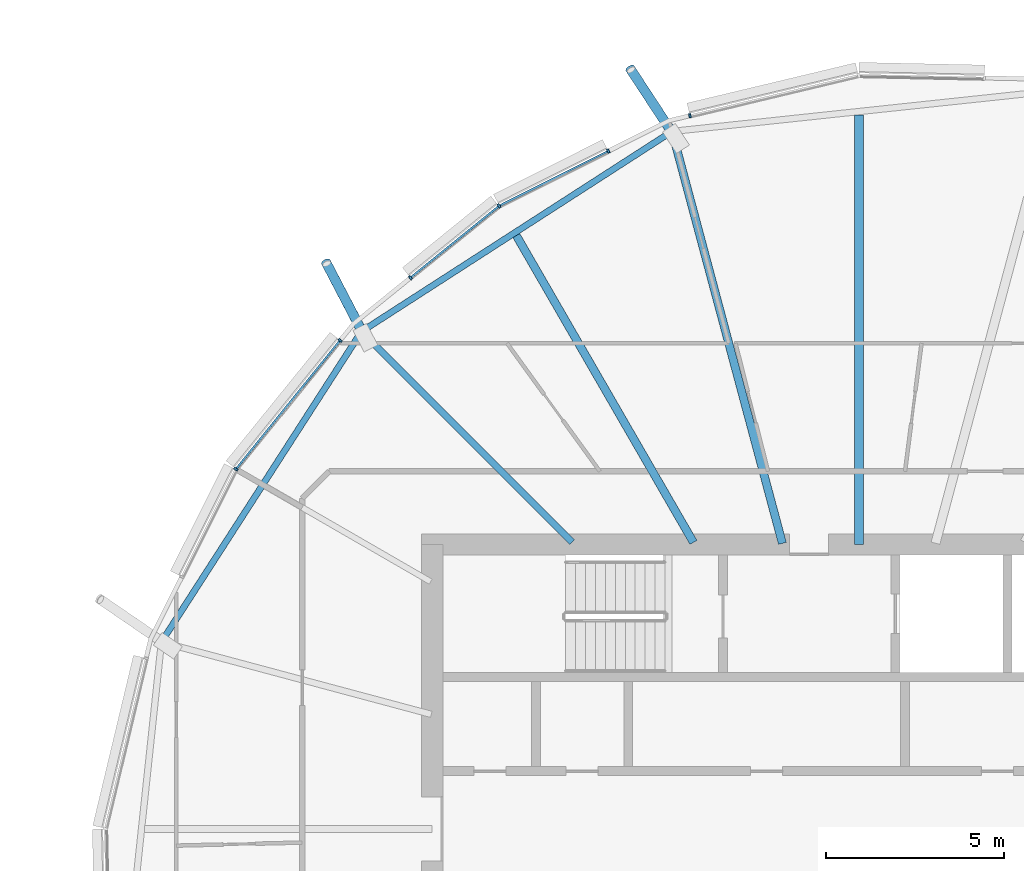
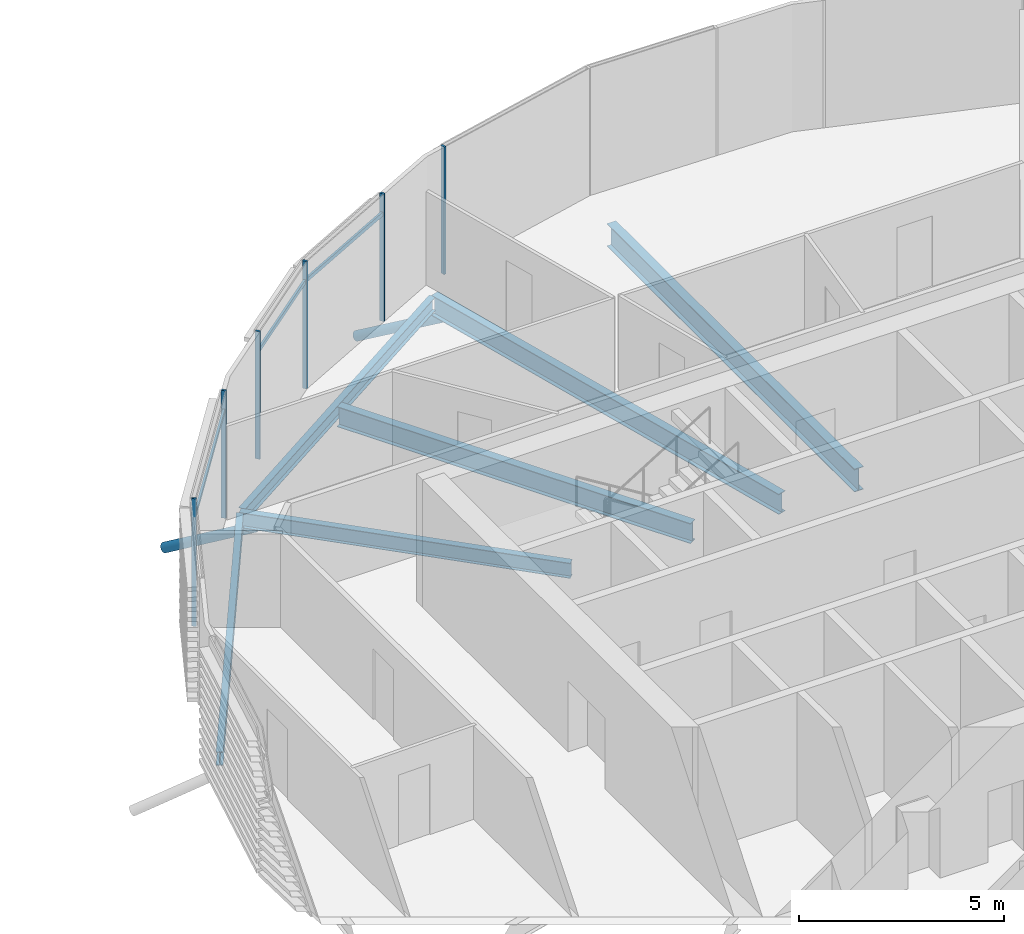
# One storey, part 16 of 37: 11 members, 6 beams, 1 element without a shape of its own.
"""IFC4 building model written with IfcOpenShell, lengths in metres."""

from ifc_helpers import new_model, si_unit, direction, frame, origin, origin_2d, place, context, subcontext, project, spatial, rectangle, hollow_circle, i_section, extrude, clip, halfspace, material, material_profile, profile_set, type_object, element, aggregate, save


model = new_model("IFC4")

# Units and contexts
model_context = context("Model", 3, precision=1e-05, world=origin(), true_north=direction((0.0, 1.0)))
body_context = subcontext(model_context, "Body", "Model", "MODEL_VIEW")
ifc_project = project(units=[si_unit("LENGTHUNIT", "METRE"), si_unit("AREAUNIT", "SQUARE_METRE"), si_unit("VOLUMEUNIT", "CUBIC_METRE"), si_unit("PLANEANGLEUNIT", "RADIAN"), si_unit("MASSUNIT", "GRAM", prefix="KILO")], contexts=[model_context])

# Site, building, storey
site_placement = place(None, origin())
site = spatial("IfcSite", under=ifc_project, at=site_placement, CompositionType="ELEMENT")
building_placement = place(site_placement, origin())
building = spatial("IfcBuilding", under=site, at=building_placement, Name="Rimbun Link Towers", CompositionType="ELEMENT")
storey_placement = place(building_placement, frame((0.0, 0.0, 162.699951171875)))
storey = spatial("IfcBuildingStorey", under=building, at=storey_placement, Name="L39", CompositionType="ELEMENT", Elevation=162.699951171875)

# Curtain wall, members
ifc_material_1 = material(Name="Aluminium 6063-T6 and low-iron glass", Category="aluminium")
curtain_wall_type = type_object("IfcCurtainWallType", Name="CW1-Z3 unitised vision wall (zone 3)", PredefinedType="NOTDEFINED", material=ifc_material_1)
curtain_wall_placement = place(storey_placement, origin())
curtain_wall = element("IfcCurtainWall", 1, at=curtain_wall_placement, inside=storey, type_object=curtain_wall_type, Name="CW1 L39 T2", PredefinedType="NOTDEFINED")
ifc_material_2 = material(Name="Aluminium 6063-T6", Category="aluminium")
ifc_material_profile_1 = material_profile(ifc_material_2, rectangle(XDim=0.1201171875, YDim=0.06005859375, at=origin_2d()), Name="MULLION 60X120")
ifc_profile_set_1 = profile_set([ifc_material_profile_1], Name="Aluminium 6063-T6")
member_type_1 = type_object("IfcMemberType", Name="CW1 mullion 60X120", PredefinedType="MULLION", material=ifc_profile_set_1)
member_1_placement = place(storey_placement, frame((26.998291015625, 20.057373046875, 0.0), z_axis=(0.0, 0.0, 1.0), x_axis=(-0.232610420521, 0.972569993504, 0.0)))
member_1 = element("IfcMember", 2, at=member_1_placement, type_object=member_type_1, Name="CW1 mullion", PredefinedType="MULLION", context=body_context, shape_type="SweptSolid", body=[
    extrude(rectangle(XDim=0.1201171875, YDim=0.06005859375, at=origin_2d()), origin(), (0.0, 0.0, 1.0), 3.800048828125),
])
member_2_placement = place(storey_placement, frame((21.632568359375, 17.517822265625, 0.0), z_axis=(0.0, 0.0, 1.0), x_axis=(-0.542099635168, 0.840314218344, 0.0)))
member_2 = element("IfcMember", 3, at=member_2_placement, type_object=member_type_1, Name="CW1 mullion", PredefinedType="MULLION", context=body_context, shape_type="SweptSolid", body=[
    extrude(rectangle(XDim=0.1201171875, YDim=0.06005859375, at=origin_2d()), origin(), (0.0, 0.0, 1.0), 3.800048828125),
])
member_3_placement = place(storey_placement, frame((24.703857421875, 19.060546875, 0.0), z_axis=(0.0, 0.0, 1.0), x_axis=(-0.448766277854, 0.893649163744, 0.0)))
member_3 = element("IfcMember", 4, at=member_3_placement, type_object=member_type_1, Name="CW1 mullion", PredefinedType="MULLION", context=body_context, shape_type="SweptSolid", body=[
    extrude(rectangle(XDim=0.1201171875, YDim=0.06005859375, at=origin_2d()), origin(), (0.0, 0.0, 1.0), 3.800048828125),
])
member_4_placement = place(storey_placement, frame((19.140869140625, 15.501220703125, 0.0), z_axis=(0.0, 0.0, 1.0), x_axis=(-0.629168634373, 0.777268827061, 0.0)))
member_4 = element("IfcMember", 5, at=member_4_placement, type_object=member_type_1, Name="CW1 mullion", PredefinedType="MULLION", context=body_context, shape_type="SweptSolid", body=[
    extrude(rectangle(XDim=0.1201171875, YDim=0.06005859375, at=origin_2d()), origin(), (0.0, 0.0, 1.0), 3.800048828125),
])
member_5_placement = place(storey_placement, frame((14.232177734375, 10.117431640625, 0.0), z_axis=(0.0, 0.0, 1.0), x_axis=(-0.840314218344, 0.542099635168, 0.0)))
member_5 = element("IfcMember", 6, at=member_5_placement, type_object=member_type_1, Name="CW1 mullion", PredefinedType="MULLION", context=body_context, shape_type="SweptSolid", body=[
    extrude(rectangle(XDim=0.1201171875, YDim=0.06005859375, at=origin_2d()), origin(), (0.0, 0.0, 1.0), 3.800048828125),
])
member_6_placement = place(storey_placement, frame((17.1611328125, 13.736083984375, 0.0), z_axis=(0.0, 0.0, 1.0), x_axis=(-0.777268827061, 0.629168634373, 0.0)))
member_6 = element("IfcMember", 7, at=member_6_placement, type_object=member_type_1, Name="CW1 mullion", PredefinedType="MULLION", context=body_context, shape_type="SweptSolid", body=[
    extrude(rectangle(XDim=0.1201171875, YDim=0.06005859375, at=origin_2d()), origin(), (0.0, 0.0, 1.0), 3.800048828125),
])
ifc_material_3 = material(Name="Aluminium 6063-T6", Category="aluminium")
ifc_material_profile_2 = material_profile(ifc_material_3, rectangle(XDim=0.06005859375, YDim=0.1201171875, at=origin_2d()), Name="TRANSOM 60X120")
ifc_profile_set_2 = profile_set([ifc_material_profile_2], Name="Aluminium 6063-T6")
member_type_2 = type_object("IfcMemberType", Name="CW1 transom 60X120", PredefinedType="USERDEFINED", material=ifc_profile_set_2)
member_7_placement = place(storey_placement, frame((21.666015625, 17.53271484375, 3.199951171875), z_axis=(0.893658038101, 0.448748605499, 0.0), x_axis=(-0.448748605499, 0.893658038101, 0.0)))
member_7 = element("IfcMember", 8, at=member_7_placement, type_object=member_type_2, Name="CW1 transom", ObjectType="TRANSOM", PredefinedType="USERDEFINED", context=body_context, shape_type="SweptSolid", body=[
    extrude(rectangle(XDim=0.06005859375, YDim=0.1201171875, at=origin_2d()), origin(), (0.0, 0.0, 1.0), 3.370361328125),
])
member_8_placement = place(storey_placement, frame((19.16552734375, 15.5185546875, 3.199951171875), z_axis=(0.777259359643, 0.629180330149, 0.0), x_axis=(-0.629180330149, 0.777259359643, 0.0)))
member_8 = element("IfcMember", 9, at=member_8_placement, type_object=member_type_2, Name="CW1 transom", ObjectType="TRANSOM", PredefinedType="USERDEFINED", context=body_context, shape_type="SweptSolid", body=[
    extrude(rectangle(XDim=0.06005859375, YDim=0.1201171875, at=origin_2d()), origin(), (0.0, 0.0, 1.0), 3.13916015625),
])
member_9_placement = place(storey_placement, frame((14.25634765625, 10.14453125, 3.199951171875), z_axis=(0.629167621361, 0.777269647054, 0.0), x_axis=(-0.777269647054, 0.629167621361, 0.0)))
member_9 = element("IfcMember", 10, at=member_9_placement, type_object=member_type_2, Name="CW1 transom", ObjectType="TRANSOM", PredefinedType="USERDEFINED", context=body_context, shape_type="SweptSolid", body=[
    extrude(rectangle(XDim=0.06005859375, YDim=0.1201171875, at=origin_2d()), origin(), (0.0, 0.0, 1.0), 4.58935546875),
])
aggregate(curtain_wall, [member_1, member_2, member_3, member_4, member_5, member_6, member_7, member_8, member_9])

# Members
ifc_material_4 = material(Name="Steel S355J2H", Category="steel")
ifc_material_profile_3 = material_profile(ifc_material_4, hollow_circle(Radius=0.136474609375, WallThickness=0.012451171875, at=origin_2d()), Name="CHS 273x12.5")
ifc_profile_set_3 = profile_set([ifc_material_profile_3], Name="Steel S355J2H")
member_type_3 = type_object("IfcMemberType", Name="Floor edge link CHS 273x12.5", PredefinedType="BRACE", material=ifc_profile_set_3)
member_10_placement = place(storey_placement, frame((26.5078125, 19.564697265625, -0.871337890625), z_axis=(-0.479392674769, 0.731230493296, -0.485267584999), x_axis=(-0.836298240371, -0.548274797115, 0.0)))
element("IfcMember", 11, at=member_10_placement, inside=storey, type_object=member_type_3, Name="Floor edge link T2 L39 04", PredefinedType="BRACE", context=body_context, shape_type="Clipping", body=[
    clip(extrude(hollow_circle(Radius=0.136474609375, WallThickness=0.012451171875, at=origin_2d()), frame((0.0, 0.0, -0.512451171875)), (0.0, 0.0, 1.0), 3.005859375), halfspace(frame((0.0, 0.0, -0.24072265625), z_axis=(0.0, 0.874365696347, -0.485267584999)), False)),
])
member_11_placement = place(storey_placement, frame((17.79833984375, 13.95166015625, -0.719482421875), z_axis=(-0.394290770047, 0.756759955594, -0.52139155945), x_axis=(-0.886844475757, -0.462068042413, 0.0)))
element("IfcMember", 12, at=member_11_placement, inside=storey, type_object=member_type_3, Name="Floor edge link T2 L39 06", PredefinedType="BRACE", context=body_context, shape_type="Clipping", body=[
    clip(extrude(hollow_circle(Radius=0.136474609375, WallThickness=0.012451171875, at=origin_2d()), frame((0.0, 0.0, -0.466064453125)), (0.0, 0.0, 1.0), 3.09765625), halfspace(frame((0.0, 0.0, -0.218994140625), z_axis=(0.0, 0.853317550349, -0.52139155945)), False)),
])

# Beams
ifc_material_5 = material(Name="Steel S355J2", Category="steel")
ifc_material_profile_4 = material_profile(ifc_material_5, i_section(OverallWidth=0.177978515625, OverallDepth=0.406494140625, WebThickness=0.0078125, FlangeThickness=0.0126953125, at=origin_2d()), Name="UB 406x178x60")
ifc_profile_set_4 = profile_set([ifc_material_profile_4], Name="Steel S355J2")
beam_type_1 = type_object("IfcBeamType", Name="UB 406x178x60", PredefinedType="BEAM", material=ifc_profile_set_4)
beam_1_placement = place(storey_placement, frame((26.393310546875, 19.547607421875, -0.353271484375), z_axis=(-0.840628851377, -0.541611608288, 0.0), x_axis=(0.541611608288, -0.840628851377, 0.0)))
element("IfcBeam", 13, at=beam_1_placement, inside=storey, type_object=beam_type_1, Name="Edge beam T2 L39 04-06", PredefinedType="BEAM", context=body_context, shape_type="SweptSolid", body=[
    extrude(i_section(OverallWidth=0.177978515625, OverallDepth=0.406494140625, WebThickness=0.0078125, FlangeThickness=0.0126953125, at=origin_2d()), origin(), (0.0, 0.0, 1.0), 10.16845703125),
])
beam_2_placement = place(storey_placement, frame((17.709716796875, 13.904541015625, -0.353271484375), z_axis=(-0.541611838364, -0.840628703141, 0.0), x_axis=(0.840628703141, -0.541611838364, 0.0)))
element("IfcBeam", 14, at=beam_2_placement, inside=storey, type_object=beam_type_1, Name="Edge beam T2 L39 06-08", PredefinedType="BEAM", context=body_context, shape_type="SweptSolid", body=[
    extrude(i_section(OverallWidth=0.177978515625, OverallDepth=0.406494140625, WebThickness=0.0078125, FlangeThickness=0.0126953125, at=origin_2d()), origin(), (0.0, 0.0, 1.0), 10.194580078125),
])
ifc_material_6 = material(Name="Steel S355J2", Category="steel")
ifc_material_profile_5 = material_profile(ifc_material_6, i_section(OverallWidth=0.18994140625, OverallDepth=0.453369140625, WebThickness=0.008544921875, FlangeThickness=0.0126953125, at=origin_2d()), Name="UB 457x191x67")
ifc_profile_set_5 = profile_set([ifc_material_profile_5], Name="Steel S355J2")
beam_type_2 = type_object("IfcBeamType", Name="UB 457x191x67", PredefinedType="BEAM", material=ifc_profile_set_5)
beam_3_placement = place(storey_placement, frame((23.68212890625, 8.06787109375, -0.376708984375), z_axis=(-0.707106781187, 0.707106781187, 0.0), x_axis=(-0.707106781187, -0.707106781187, 0.0)))
element("IfcBeam", 15, at=beam_3_placement, inside=storey, type_object=beam_type_2, Name="Radial beam T2 L39 06", PredefinedType="BEAM", context=body_context, shape_type="SweptSolid", body=[
    extrude(i_section(OverallWidth=0.18994140625, OverallDepth=0.453369140625, WebThickness=0.008544921875, FlangeThickness=0.0126953125, at=origin_2d()), origin(), (0.0, 0.0, 1.0), 8.37109375),
])
ifc_material_7 = material(Name="Steel S355J2", Category="steel")
ifc_material_profile_6 = material_profile(ifc_material_7, i_section(OverallWidth=0.2275390625, OverallDepth=0.6025390625, WebThickness=0.010498046875, FlangeThickness=0.014892578125, at=origin_2d()), Name="UB 610x229x101")
ifc_profile_set_6 = profile_set([ifc_material_profile_6], Name="Steel S355J2")
beam_type_3 = type_object("IfcBeamType", Name="UB 610x229x101", PredefinedType="BEAM", material=ifc_profile_set_6)
beam_4_placement = place(storey_placement, frame((29.598388671875, 8.030517578125, -0.451171875), z_axis=(-0.258842265684, 0.965919604054, 0.0), x_axis=(-0.965919604054, -0.258842265684, 0.0)))
element("IfcBeam", 16, at=beam_4_placement, inside=storey, type_object=beam_type_3, Name="Radial beam T2 L39 04", PredefinedType="BEAM", context=body_context, shape_type="SweptSolid", body=[
    extrude(i_section(OverallWidth=0.2275390625, OverallDepth=0.6025390625, WebThickness=0.010498046875, FlangeThickness=0.014892578125, at=origin_2d()), origin(), (0.0, 0.0, 1.0), 11.990966796875),
])
beam_5_placement = place(storey_placement, frame((27.097900390625, 8.057861328125, -0.451171875), z_axis=(-0.500010957915, 0.866019077137, 0.0), x_axis=(-0.866019077137, -0.500010957915, 0.0)))
element("IfcBeam", 17, at=beam_5_placement, inside=storey, type_object=beam_type_3, Name="Radial beam T2 L39 05", PredefinedType="BEAM", context=body_context, shape_type="SweptSolid", body=[
    extrude(i_section(OverallWidth=0.2275390625, OverallDepth=0.6025390625, WebThickness=0.010498046875, FlangeThickness=0.014892578125, at=origin_2d()), origin(), (0.0, 0.0, 1.0), 9.962158203125),
])
ifc_material_8 = material(Name="Steel S355J2", Category="steel")
ifc_material_profile_7 = material_profile(ifc_material_8, i_section(OverallWidth=0.253662109375, OverallDepth=0.68359375, WebThickness=0.012451171875, FlangeThickness=0.01904296875, at=origin_2d()), Name="UB 686x254x140")
ifc_profile_set_7 = profile_set([ifc_material_profile_7], Name="Steel S355J2")
beam_type_4 = type_object("IfcBeamType", Name="UB 686x254x140", PredefinedType="BEAM", material=ifc_profile_set_7)
beam_6_placement = place(storey_placement, frame((31.75, 8.0009765625, -0.49169921875), z_axis=(0.0, 1.0, 0.0), x_axis=(-1.0, 0.0, 0.0)))
element("IfcBeam", 18, at=beam_6_placement, inside=storey, type_object=beam_type_4, Name="Radial beam T2 L39 03", PredefinedType="BEAM", context=body_context, shape_type="SweptSolid", body=[
    extrude(i_section(OverallWidth=0.253662109375, OverallDepth=0.68359375, WebThickness=0.012451171875, FlangeThickness=0.01904296875, at=origin_2d()), origin(), (0.0, 0.0, 1.0), 12.0810546875),
])

save(model, "model.ifc")
